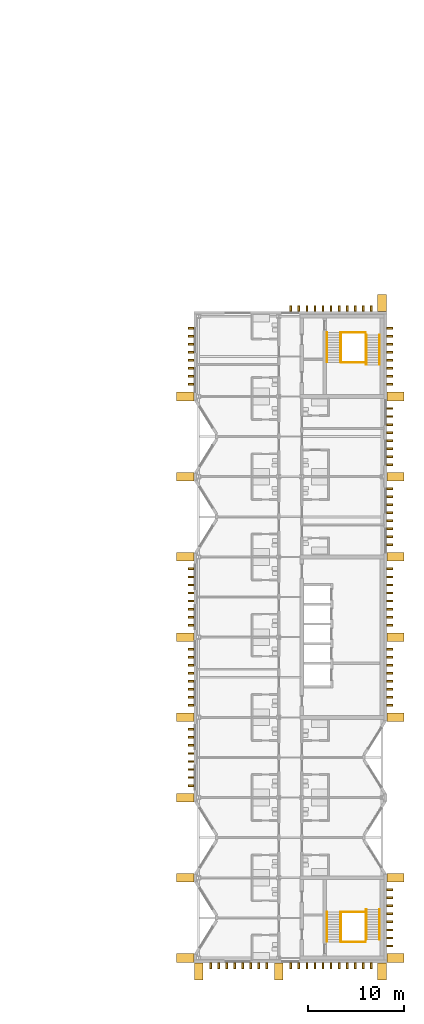
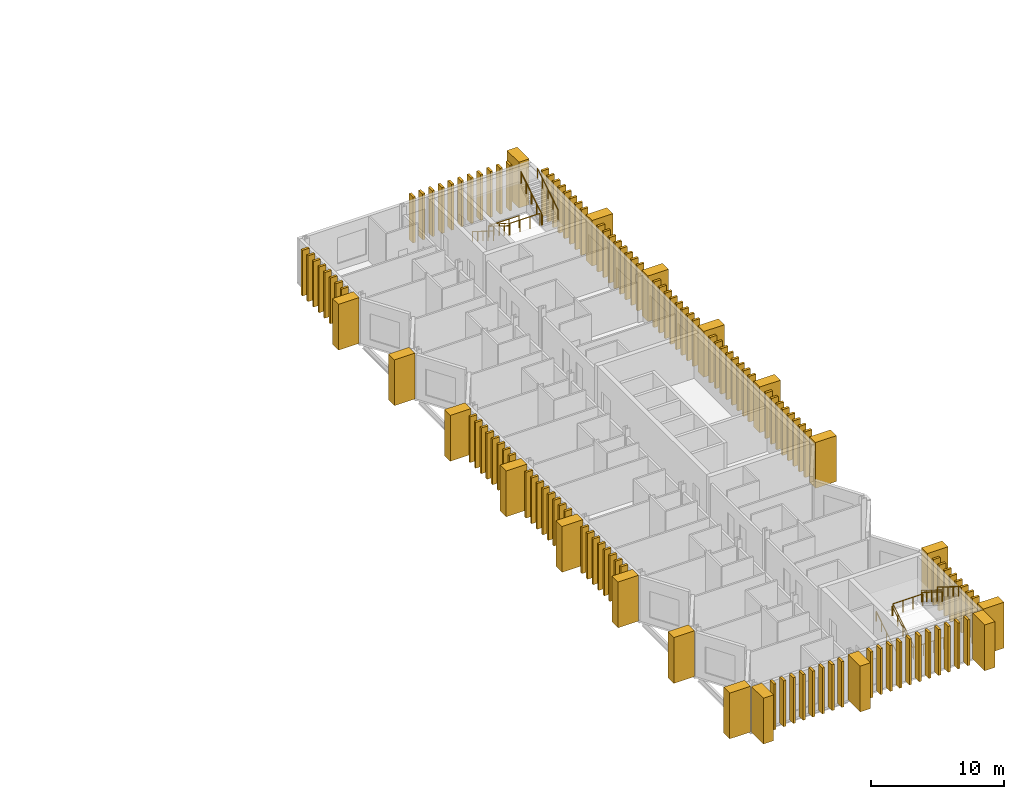
# One storey, part 19 of 20: 129 coverings, 16 railings.
"""IFC4 building model written with IfcOpenShell, lengths in metres."""

import ifcopenshell
import ifcopenshell.guid

model = None  # the IFC model being written
_history = None  # IfcOwnerHistory: only IFC2X3 demands one
_inside = {}  # id of a spatial element -> (the spatial element, [elements in it])
_under = {}  # id of a project, library or spatial element -> (it, [spatial elements below it])
_declared = {}  # id of a project -> (the project, [libraries it declares])
_typed = {}  # id of a type object -> (the type object, [elements of that type])
_made_of = {}  # id of a material, layer set ... -> (it, [elements and type objects made of it])


def new_model(schema):
    """Start an empty IFC model of exactly this schema.

    Asked for "IFC4X3", IfcOpenShell would pick the latest addendum, in which some entities
    have other attributes; the version numbers below select the first issue.
    IFC2X3 requires an IfcOwnerHistory on every rooted entity: one is made here for all.
    """
    global model, _history
    if schema == "IFC4X3":
        model = ifcopenshell.file(schema_version=(4, 3, 0, 0))
    else:
        model = ifcopenshell.file(schema=schema)
    _inside.clear()
    _under.clear()
    _declared.clear()
    _typed.clear()
    _made_of.clear()
    _history = None
    if model.schema == "IFC2X3":
        org = make("IfcOrganization", Name="unknown")
        user = make(
            "IfcPersonAndOrganization",
            ThePerson=make("IfcPerson", FamilyName="unknown"),
            TheOrganization=org,
        )
        app = make(
            "IfcApplication",
            ApplicationDeveloper=org,
            Version="unknown",
            ApplicationFullName="unknown",
            ApplicationIdentifier="unknown",
        )
        _history = make(
            "IfcOwnerHistory",
            OwningUser=user,
            OwningApplication=app,
            ChangeAction="ADDED",
            CreationDate=0,
        )
    return model


def make(cls, **values):
    """One entity of the class cls with the attributes given. An attribute that is None is left unset."""
    return model.create_entity(
        cls, **{name: value for name, value in values.items() if value is not None}
    )


def rooted(cls, **values):
    """An entity with a GlobalId (a new one), such as an element, a storey or a relation."""
    return make(cls, GlobalId=ifcopenshell.guid.new(), OwnerHistory=_history, **values)


def si_unit(unit_type, name, prefix=None):
    """IfcSIUnit, for example si_unit("LENGTHUNIT", "METRE", prefix="MILLI")."""
    return make("IfcSIUnit", UnitType=unit_type, Prefix=prefix, Name=name)


def assignment(units):
    """IfcUnitAssignment: the units of a project."""
    return None if units is None else make("IfcUnitAssignment", Units=units)


def point(xyz):
    """IfcCartesianPoint."""
    return None if xyz is None else make("IfcCartesianPoint", Coordinates=xyz)


def direction(xyz):
    """IfcDirection."""
    return None if xyz is None else make("IfcDirection", DirectionRatios=xyz)


def frame(location, z_axis=None, x_axis=None):
    """IfcAxis2Placement3D, a coordinate frame: its origin and axes. An axis left out is left unset."""
    return make(
        "IfcAxis2Placement3D",
        Location=point(location),
        Axis=direction(z_axis),
        RefDirection=direction(x_axis),
    )


def frame_2d(location, x_axis=None):
    """IfcAxis2Placement2D, a coordinate frame in the plane: its origin and x axis."""
    return make(
        "IfcAxis2Placement2D", Location=point(location), RefDirection=direction(x_axis)
    )


def origin():
    """The frame at (0, 0, 0) with its axes left unset."""
    return frame((0.0, 0.0, 0.0))


def origin_2d():
    """The frame at (0, 0) in the plane with its x axis left unset."""
    return frame_2d((0.0, 0.0))


def place(relative_to, where):
    """IfcLocalPlacement: puts the frame where relative to a parent placement (None: the world)."""
    return make(
        "IfcLocalPlacement", PlacementRelTo=relative_to, RelativePlacement=where
    )


def context(
    kind, dimensions, precision=None, world=None, true_north=None, identifier=None
):
    """IfcGeometricRepresentationContext, for example the 3D "Model" context."""
    return make(
        "IfcGeometricRepresentationContext",
        ContextIdentifier=identifier,
        ContextType=kind,
        CoordinateSpaceDimension=dimensions,
        Precision=precision,
        WorldCoordinateSystem=world,
        TrueNorth=true_north,
    )


def subcontext(parent, identifier, kind, view, scale=None):
    """IfcGeometricRepresentationSubContext, for example "Body" below "Model"."""
    return make(
        "IfcGeometricRepresentationSubContext",
        ContextIdentifier=identifier,
        ContextType=kind,
        ParentContext=parent,
        TargetScale=scale,
        TargetView=view,
    )


def project(units=None, contexts=None):
    """IfcProject with its units and contexts."""
    return rooted(
        "IfcProject",
        Name="project",
        RepresentationContexts=contexts,
        UnitsInContext=assignment(units),
    )


def spatial(cls, under=None, at=None, **own):
    """A site, building, storey or space (cls), placed at a placement, below another one or the project."""
    s = rooted(cls, ObjectPlacement=at, **own)
    if under is not None:
        _under.setdefault(under.id(), (under, []))[1].append(s)
    return s


def profile(cls, at=None, kind="AREA", **sizes):
    """A parametric profile (cls). Its sizes go by their IFC names, for example OverallWidth=200.0."""
    return make(cls, ProfileType=kind, Position=at, **sizes)


def rectangle(**sizes):
    """IfcRectangleProfileDef."""
    return profile("IfcRectangleProfileDef", **sizes)


def circle(**sizes):
    """IfcCircleProfileDef."""
    return profile("IfcCircleProfileDef", **sizes)


def extrude(swept, where, along, depth):
    """IfcExtrudedAreaSolid: the profile swept, set in the frame where, extruded along a direction by depth."""
    return make(
        "IfcExtrudedAreaSolid",
        SweptArea=swept,
        Position=where,
        ExtrudedDirection=direction(along),
        Depth=depth,
    )


def shape(context_of_items, identifier, shape_type, items):
    """IfcShapeRepresentation: the items that make up one representation, for example the "Body"."""
    return make(
        "IfcShapeRepresentation",
        ContextOfItems=context_of_items,
        RepresentationIdentifier=identifier,
        RepresentationType=shape_type,
        Items=items,
    )


def material(Name=None, Category=None):
    """IfcMaterial."""
    return make("IfcMaterial", Name=Name, Category=Category)


def made_of(thing, what):
    """Note that an element or type object is made of a material, layer set ...; save() writes the relation."""
    if what is not None:
        _made_of.setdefault(what.id(), (what, []))[1].append(thing)
    return thing


def type_object(cls, material=None, **own):
    """A type object (cls), such as IfcWallType, which elements share."""
    return made_of(rooted(cls, **own), material)


def element(
    cls,
    number,
    at=None,
    inside=None,
    cuts=None,
    type_object=None,
    material=None,
    context=None,
    identifier="Body",
    shape_type=None,
    held_by="IfcProductDefinitionShape",
    body=None,
    shapes=None,
    **own,
):
    """One element of the class cls, such as IfcWall. Its Tag is "e" and its number.

    at: its placement. inside: the storey or other place that contains it. cuts: it is an
    opening in that element (IfcRelVoidsElement). A single representation is given by context,
    identifier, shape_type and body (its items); several are given by shapes. held_by: the class
    of the entity that holds the representations. save() writes the other relations.
    """
    e = rooted(cls, Tag="e%d" % number, ObjectPlacement=at, **own)
    if body is not None:
        shapes = [shape(context, identifier, shape_type, body)]
    if shapes is not None:
        e.Representation = make(held_by, Representations=shapes)
    if inside is not None:
        _inside.setdefault(inside.id(), (inside, []))[1].append(e)
    if cuts is not None:
        rooted(
            "IfcRelVoidsElement", RelatingBuildingElement=cuts, RelatedOpeningElement=e
        )
    if type_object is not None:
        _typed.setdefault(type_object.id(), (type_object, []))[1].append(e)
    return made_of(e, material)


def aggregate(whole, parts):
    """IfcRelAggregates: a whole, such as a stair, and the parts it consists of."""
    return rooted("IfcRelAggregates", RelatingObject=whole, RelatedObjects=parts)


def save(model, path):
    """Write the relations noted so far, then the file.

    IfcRelAggregates (storeys below a building ...), IfcRelContainedInSpatialStructure (elements
    in a storey), IfcRelDefinesByType, IfcRelAssociatesMaterial and IfcRelDeclares: one each for
    every whole, place, type object, material and project.
    """
    for whole, parts in _under.values():
        aggregate(whole, parts)
    for where, things in _inside.values():
        rooted(
            "IfcRelContainedInSpatialStructure",
            RelatedElements=things,
            RelatingStructure=where,
        )
    for kind, things in _typed.values():
        rooted("IfcRelDefinesByType", RelatedObjects=things, RelatingType=kind)
    for what, things in _made_of.values():
        rooted("IfcRelAssociatesMaterial", RelatedObjects=things, RelatingMaterial=what)
    for by, libraries in _declared.values():
        rooted("IfcRelDeclares", RelatingContext=by, RelatedDefinitions=libraries)
    model.write(path)


model = new_model("IFC4")

# Units and contexts
model_context = context("Model", 3, precision=1e-05, world=origin(), true_north=direction((0.0, 1.0)))
body_context = subcontext(model_context, "Body", "Model", "MODEL_VIEW")
ifc_project = project(units=[si_unit("LENGTHUNIT", "METRE"), si_unit("AREAUNIT", "SQUARE_METRE"), si_unit("VOLUMEUNIT", "CUBIC_METRE"), si_unit("PLANEANGLEUNIT", "RADIAN"), si_unit("MASSUNIT", "GRAM", prefix="KILO")], contexts=[model_context])

# Site, building, storey
site_placement = place(None, origin())
site = spatial("IfcSite", under=ifc_project, at=site_placement, CompositionType="ELEMENT")
building_placement = place(site_placement, origin())
building = spatial("IfcBuilding", under=site, at=building_placement, Name="Cresset Court Congress Hotel", CompositionType="ELEMENT")
storey_placement = place(building_placement, frame((0.0, 0.0, 27.0)))
storey = spatial("IfcBuildingStorey", under=building, at=storey_placement, Name="L06", CompositionType="ELEMENT", Elevation=27.0)

# Coverings
ifc_material_1 = material(Name="Precast concrete C50", Category="concrete")
covering_type_1 = type_object("IfcCoveringType", Name="Precast stone fin 200x600", PredefinedType="CLADDING", material=ifc_material_1)
for number, where, z_axis, x_axis, name in (
    (1, (177.199951171875, 1.260009765625, 0.0), (0.0, 0.0, 1.0), (1.0, 0.0, 0.0), "Fin E002"),
    (2, (177.199951171875, 2.10009765625, 0.0), (0.0, 0.0, 1.0), (1.0, 0.0, 0.0), "Fin E003"),
    (3, (177.199951171875, 2.93994140625, 0.0), (0.0, 0.0, 1.0), (1.0, 0.0, 0.0), "Fin E004"),
    (4, (177.199951171875, 3.780029296875, 0.0), (0.0, 0.0, 1.0), (1.0, 0.0, 0.0), "Fin E005"),
    (5, (177.199951171875, 4.6201171875, 0.0), (0.0, 0.0, 1.0), (1.0, 0.0, 0.0), "Fin E006"),
    (6, (177.199951171875, 5.4599609375, 0.0), (0.0, 0.0, 1.0), (1.0, 0.0, 0.0), "Fin E007"),
    (7, (177.199951171875, 6.300048828125, 0.0), (0.0, 0.0, 1.0), (1.0, 0.0, 0.0), "Fin E008"),
    (8, (177.199951171875, 7.139892578125, 0.0), (0.0, 0.0, 1.0), (1.0, 0.0, 0.0), "Fin E009"),
    (9, (177.199951171875, 26.4599609375, 0.0), (0.0, 0.0, 1.0), (1.0, 0.0, 0.0), "Fin E032"),
    (10, (177.199951171875, 27.300048828125, 0.0), (0.0, 0.0, 1.0), (1.0, 0.0, 0.0), "Fin E033"),
    (11, (177.199951171875, 28.139892578125, 0.0), (0.0, 0.0, 1.0), (1.0, 0.0, 0.0), "Fin E034"),
    (12, (177.199951171875, 28.97998046875, 0.0), (0.0, 0.0, 1.0), (1.0, 0.0, 0.0), "Fin E035"),
    (13, (177.199951171875, 29.820068359375, 0.0), (0.0, 0.0, 1.0), (1.0, 0.0, 0.0), "Fin E036"),
    (14, (177.199951171875, 30.659912109375, 0.0), (0.0, 0.0, 1.0), (1.0, 0.0, 0.0), "Fin E037"),
    (15, (177.199951171875, 31.5, 0.0), (0.0, 0.0, 1.0), (1.0, 0.0, 0.0), "Fin E038"),
    (16, (177.199951171875, 32.340087890625, 0.0), (0.0, 0.0, 1.0), (1.0, 0.0, 0.0), "Fin E039"),
    (17, (177.199951171875, 34.860107421875, 0.0), (0.0, 0.0, 1.0), (1.0, 0.0, 0.0), "Fin E042"),
    (18, (177.199951171875, 35.699951171875, 0.0), (0.0, 0.0, 1.0), (1.0, 0.0, 0.0), "Fin E043"),
    (19, (177.199951171875, 36.5400390625, 0.0), (0.0, 0.0, 1.0), (1.0, 0.0, 0.0), "Fin E044"),
    (20, (177.199951171875, 37.3798828125, 0.0), (0.0, 0.0, 1.0), (1.0, 0.0, 0.0), "Fin E045"),
    (21, (177.199951171875, 38.219970703125, 0.0), (0.0, 0.0, 1.0), (1.0, 0.0, 0.0), "Fin E046"),
    (22, (177.199951171875, 39.06005859375, 0.0), (0.0, 0.0, 1.0), (1.0, 0.0, 0.0), "Fin E047"),
    (23, (177.199951171875, 39.89990234375, 0.0), (0.0, 0.0, 1.0), (1.0, 0.0, 0.0), "Fin E048"),
    (24, (177.199951171875, 40.739990234375, 0.0), (0.0, 0.0, 1.0), (1.0, 0.0, 0.0), "Fin E049"),
    (25, (177.199951171875, 43.260009765625, 0.0), (0.0, 0.0, 1.0), (1.0, 0.0, 0.0), "Fin E052"),
    (26, (177.199951171875, 44.10009765625, 0.0), (0.0, 0.0, 1.0), (1.0, 0.0, 0.0), "Fin E053"),
    (27, (177.199951171875, 44.93994140625, 0.0), (0.0, 0.0, 1.0), (1.0, 0.0, 0.0), "Fin E054"),
    (28, (177.199951171875, 45.780029296875, 0.0), (0.0, 0.0, 1.0), (1.0, 0.0, 0.0), "Fin E055"),
    (29, (177.199951171875, 46.6201171875, 0.0), (0.0, 0.0, 1.0), (1.0, 0.0, 0.0), "Fin E056"),
    (30, (177.199951171875, 47.4599609375, 0.0), (0.0, 0.0, 1.0), (1.0, 0.0, 0.0), "Fin E057"),
    (31, (177.199951171875, 48.300048828125, 0.0), (0.0, 0.0, 1.0), (1.0, 0.0, 0.0), "Fin E058"),
    (32, (177.199951171875, 49.139892578125, 0.0), (0.0, 0.0, 1.0), (1.0, 0.0, 0.0), "Fin E059"),
    (33, (177.199951171875, 51.659912109375, 0.0), (0.0, 0.0, 1.0), (1.0, 0.0, 0.0), "Fin E062"),
    (34, (177.199951171875, 52.5, 0.0), (0.0, 0.0, 1.0), (1.0, 0.0, 0.0), "Fin E063"),
    (35, (177.199951171875, 53.340087890625, 0.0), (0.0, 0.0, 1.0), (1.0, 0.0, 0.0), "Fin E064"),
    (36, (177.199951171875, 54.179931640625, 0.0), (0.0, 0.0, 1.0), (1.0, 0.0, 0.0), "Fin E065"),
    (37, (177.199951171875, 55.02001953125, 0.0), (0.0, 0.0, 1.0), (1.0, 0.0, 0.0), "Fin E066"),
    (38, (177.199951171875, 55.860107421875, 0.0), (0.0, 0.0, 1.0), (1.0, 0.0, 0.0), "Fin E067"),
    (39, (177.199951171875, 56.699951171875, 0.0), (0.0, 0.0, 1.0), (1.0, 0.0, 0.0), "Fin E068"),
    (40, (177.199951171875, 57.5400390625, 0.0), (0.0, 0.0, 1.0), (1.0, 0.0, 0.0), "Fin E069"),
    (41, (177.199951171875, 60.06005859375, 0.0), (0.0, 0.0, 1.0), (1.0, 0.0, 0.0), "Fin E072"),
    (42, (177.199951171875, 60.89990234375, 0.0), (0.0, 0.0, 1.0), (1.0, 0.0, 0.0), "Fin E073"),
    (43, (177.199951171875, 61.739990234375, 0.0), (0.0, 0.0, 1.0), (1.0, 0.0, 0.0), "Fin E074"),
    (44, (177.199951171875, 62.580078125, 0.0), (0.0, 0.0, 1.0), (1.0, 0.0, 0.0), "Fin E075"),
    (45, (177.199951171875, 63.419921875, 0.0), (0.0, 0.0, 1.0), (1.0, 0.0, 0.0), "Fin E076"),
    (46, (177.199951171875, 64.260009765625, 0.0), (0.0, 0.0, 1.0), (1.0, 0.0, 0.0), "Fin E077"),
    (47, (177.199951171875, 65.10009765625, 0.0), (0.0, 0.0, 1.0), (1.0, 0.0, 0.0), "Fin E078"),
    (48, (177.199951171875, 65.93994140625, 0.0), (0.0, 0.0, 1.0), (1.0, 0.0, 0.0), "Fin E079"),
    (49, (156.39990234375, 18.06005859375, 0.0), (0.0, 0.0, 1.0), (1.0, 0.0, 0.0), "Fin W022"),
    (50, (156.39990234375, 18.89990234375, 0.0), (0.0, 0.0, 1.0), (1.0, 0.0, 0.0), "Fin W023"),
    (51, (156.39990234375, 19.739990234375, 0.0), (0.0, 0.0, 1.0), (1.0, 0.0, 0.0), "Fin W024"),
    (52, (156.39990234375, 20.580078125, 0.0), (0.0, 0.0, 1.0), (1.0, 0.0, 0.0), "Fin W025"),
    (53, (156.39990234375, 21.419921875, 0.0), (0.0, 0.0, 1.0), (1.0, 0.0, 0.0), "Fin W026"),
    (54, (156.39990234375, 22.260009765625, 0.0), (0.0, 0.0, 1.0), (1.0, 0.0, 0.0), "Fin W027"),
    (55, (156.39990234375, 23.10009765625, 0.0), (0.0, 0.0, 1.0), (1.0, 0.0, 0.0), "Fin W028"),
    (56, (156.39990234375, 23.93994140625, 0.0), (0.0, 0.0, 1.0), (1.0, 0.0, 0.0), "Fin W029"),
    (57, (156.39990234375, 26.4599609375, 0.0), (0.0, 0.0, 1.0), (1.0, 0.0, 0.0), "Fin W032"),
    (58, (156.39990234375, 27.300048828125, 0.0), (0.0, 0.0, 1.0), (1.0, 0.0, 0.0), "Fin W033"),
    (59, (156.39990234375, 28.139892578125, 0.0), (0.0, 0.0, 1.0), (1.0, 0.0, 0.0), "Fin W034"),
    (60, (156.39990234375, 28.97998046875, 0.0), (0.0, 0.0, 1.0), (1.0, 0.0, 0.0), "Fin W035"),
    (61, (156.39990234375, 29.820068359375, 0.0), (0.0, 0.0, 1.0), (1.0, 0.0, 0.0), "Fin W036"),
    (62, (156.39990234375, 30.659912109375, 0.0), (0.0, 0.0, 1.0), (1.0, 0.0, 0.0), "Fin W037"),
    (63, (156.39990234375, 31.5, 0.0), (0.0, 0.0, 1.0), (1.0, 0.0, 0.0), "Fin W038"),
    (64, (156.39990234375, 32.340087890625, 0.0), (0.0, 0.0, 1.0), (1.0, 0.0, 0.0), "Fin W039"),
    (65, (156.39990234375, 34.860107421875, 0.0), (0.0, 0.0, 1.0), (1.0, 0.0, 0.0), "Fin W042"),
    (66, (156.39990234375, 35.699951171875, 0.0), (0.0, 0.0, 1.0), (1.0, 0.0, 0.0), "Fin W043"),
    (67, (156.39990234375, 36.5400390625, 0.0), (0.0, 0.0, 1.0), (1.0, 0.0, 0.0), "Fin W044"),
    (68, (156.39990234375, 37.3798828125, 0.0), (0.0, 0.0, 1.0), (1.0, 0.0, 0.0), "Fin W045"),
    (69, (156.39990234375, 38.219970703125, 0.0), (0.0, 0.0, 1.0), (1.0, 0.0, 0.0), "Fin W046"),
    (70, (156.39990234375, 39.06005859375, 0.0), (0.0, 0.0, 1.0), (1.0, 0.0, 0.0), "Fin W047"),
    (71, (156.39990234375, 39.89990234375, 0.0), (0.0, 0.0, 1.0), (1.0, 0.0, 0.0), "Fin W048"),
    (72, (156.39990234375, 40.739990234375, 0.0), (0.0, 0.0, 1.0), (1.0, 0.0, 0.0), "Fin W049"),
    (73, (156.39990234375, 60.06005859375, 0.0), (0.0, 0.0, 1.0), (1.0, 0.0, 0.0), "Fin W072"),
    (74, (156.39990234375, 60.89990234375, 0.0), (0.0, 0.0, 1.0), (1.0, 0.0, 0.0), "Fin W073"),
    (75, (156.39990234375, 61.739990234375, 0.0), (0.0, 0.0, 1.0), (1.0, 0.0, 0.0), "Fin W074"),
    (76, (156.39990234375, 62.580078125, 0.0), (0.0, 0.0, 1.0), (1.0, 0.0, 0.0), "Fin W075"),
    (77, (156.39990234375, 63.419921875, 0.0), (0.0, 0.0, 1.0), (1.0, 0.0, 0.0), "Fin W076"),
    (78, (156.39990234375, 64.260009765625, 0.0), (0.0, 0.0, 1.0), (1.0, 0.0, 0.0), "Fin W077"),
    (79, (156.39990234375, 65.10009765625, 0.0), (0.0, 0.0, 1.0), (1.0, 0.0, 0.0), "Fin W078"),
    (80, (156.39990234375, 65.93994140625, 0.0), (0.0, 0.0, 1.0), (1.0, 0.0, 0.0), "Fin W079"),
):
    element("IfcCovering", number, at=place(storey_placement, frame(where, z_axis=z_axis, x_axis=x_axis)), inside=storey, type_object=covering_type_1, Name=name, PredefinedType="CLADDING", context=body_context, shape_type="SweptSolid", body=[
        extrude(rectangle(XDim=0.60009765625, YDim=0.199951171875, at=origin_2d()), origin(), (0.0, 0.0, 1.0), 4.199951171875),
    ])
for number, where, z_axis, x_axis, name in (
    (81, (158.4599609375, -0.800048828125, 0.0), (0.0, 0.0, 1.0), (1.0, 0.0, 0.0), "Fin S002"),
    (82, (159.300048828125, -0.800048828125, 0.0), (0.0, 0.0, 1.0), (1.0, 0.0, 0.0), "Fin S003"),
    (83, (160.139892578125, -0.800048828125, 0.0), (0.0, 0.0, 1.0), (1.0, 0.0, 0.0), "Fin S004"),
    (84, (160.97998046875, -0.800048828125, 0.0), (0.0, 0.0, 1.0), (1.0, 0.0, 0.0), "Fin S005"),
    (85, (161.820068359375, -0.800048828125, 0.0), (0.0, 0.0, 1.0), (1.0, 0.0, 0.0), "Fin S006"),
    (86, (162.659912109375, -0.800048828125, 0.0), (0.0, 0.0, 1.0), (1.0, 0.0, 0.0), "Fin S007"),
    (87, (163.5, -0.800048828125, 0.0), (0.0, 0.0, 1.0), (1.0, 0.0, 0.0), "Fin S008"),
    (88, (164.340087890625, -0.800048828125, 0.0), (0.0, 0.0, 1.0), (1.0, 0.0, 0.0), "Fin S009"),
    (89, (166.860107421875, -0.800048828125, 0.0), (0.0, 0.0, 1.0), (1.0, 0.0, 0.0), "Fin S012"),
    (90, (167.699951171875, -0.800048828125, 0.0), (0.0, 0.0, 1.0), (1.0, 0.0, 0.0), "Fin S013"),
    (91, (168.5400390625, -0.800048828125, 0.0), (0.0, 0.0, 1.0), (1.0, 0.0, 0.0), "Fin S014"),
    (92, (169.3798828125, -0.800048828125, 0.0), (0.0, 0.0, 1.0), (1.0, 0.0, 0.0), "Fin S015"),
    (93, (170.219970703125, -0.800048828125, 0.0), (0.0, 0.0, 1.0), (1.0, 0.0, 0.0), "Fin S016"),
    (94, (171.06005859375, -0.800048828125, 0.0), (0.0, 0.0, 1.0), (1.0, 0.0, 0.0), "Fin S017"),
    (95, (171.89990234375, -0.800048828125, 0.0), (0.0, 0.0, 1.0), (1.0, 0.0, 0.0), "Fin S018"),
    (96, (172.739990234375, -0.800048828125, 0.0), (0.0, 0.0, 1.0), (1.0, 0.0, 0.0), "Fin S019"),
    (97, (173.580078125, -0.800048828125, 0.0), (0.0, 0.0, 1.0), (1.0, 0.0, 0.0), "Fin S020"),
    (98, (174.419921875, -0.800048828125, 0.0), (0.0, 0.0, 1.0), (1.0, 0.0, 0.0), "Fin S021"),
    (99, (175.260009765625, -0.800048828125, 0.0), (0.0, 0.0, 1.0), (1.0, 0.0, 0.0), "Fin S022"),
    (100, (166.860107421875, 68.0, 0.0), (0.0, 0.0, 1.0), (1.0, 0.0, 0.0), "Fin N012"),
    (101, (167.699951171875, 68.0, 0.0), (0.0, 0.0, 1.0), (1.0, 0.0, 0.0), "Fin N013"),
    (102, (168.5400390625, 68.0, 0.0), (0.0, 0.0, 1.0), (1.0, 0.0, 0.0), "Fin N014"),
    (103, (169.3798828125, 68.0, 0.0), (0.0, 0.0, 1.0), (1.0, 0.0, 0.0), "Fin N015"),
    (104, (170.219970703125, 68.0, 0.0), (0.0, 0.0, 1.0), (1.0, 0.0, 0.0), "Fin N016"),
    (105, (171.06005859375, 68.0, 0.0), (0.0, 0.0, 1.0), (1.0, 0.0, 0.0), "Fin N017"),
    (106, (171.89990234375, 68.0, 0.0), (0.0, 0.0, 1.0), (1.0, 0.0, 0.0), "Fin N018"),
    (107, (172.739990234375, 68.0, 0.0), (0.0, 0.0, 1.0), (1.0, 0.0, 0.0), "Fin N019"),
    (108, (173.580078125, 68.0, 0.0), (0.0, 0.0, 1.0), (1.0, 0.0, 0.0), "Fin N020"),
    (109, (174.419921875, 68.0, 0.0), (0.0, 0.0, 1.0), (1.0, 0.0, 0.0), "Fin N021"),
    (110, (175.260009765625, 68.0, 0.0), (0.0, 0.0, 1.0), (1.0, 0.0, 0.0), "Fin N022"),
):
    element("IfcCovering", number, at=place(storey_placement, frame(where, z_axis=z_axis, x_axis=x_axis)), inside=storey, type_object=covering_type_1, Name=name, PredefinedType="CLADDING", context=body_context, shape_type="SweptSolid", body=[
        extrude(rectangle(XDim=0.199951171875, YDim=0.60009765625, at=origin_2d()), origin(), (0.0, 0.0, 1.0), 4.199951171875),
    ])
ifc_material_2 = material(Name="Precast concrete C50", Category="concrete")
covering_type_2 = type_object("IfcCoveringType", Name="Precast stone pier 900x1800", PredefinedType="CLADDING", material=ifc_material_2)
for number, where, z_axis, x_axis, name in (
    (111, (177.800048828125, 0.0, 0.0), (0.0, 0.0, 1.0), (1.0, 0.0, 0.0), "Pier E01"),
    (112, (177.800048828125, 8.39990234375, 0.0), (0.0, 0.0, 1.0), (1.0, 0.0, 0.0), "Pier E02"),
    (113, (177.800048828125, 25.199951171875, 0.0), (0.0, 0.0, 1.0), (1.0, 0.0, 0.0), "Pier E03"),
    (114, (177.800048828125, 33.60009765625, 0.0), (0.0, 0.0, 1.0), (1.0, 0.0, 0.0), "Pier E04"),
    (115, (177.800048828125, 42.0, 0.0), (0.0, 0.0, 1.0), (1.0, 0.0, 0.0), "Pier E05"),
    (116, (177.800048828125, 50.39990234375, 0.0), (0.0, 0.0, 1.0), (1.0, 0.0, 0.0), "Pier E06"),
    (117, (177.800048828125, 58.800048828125, 0.0), (0.0, 0.0, 1.0), (1.0, 0.0, 0.0), "Pier E07"),
    (118, (155.800048828125, 0.0, 0.0), (0.0, 0.0, 1.0), (1.0, 0.0, 0.0), "Pier W01"),
    (119, (155.800048828125, 8.39990234375, 0.0), (0.0, 0.0, 1.0), (1.0, 0.0, 0.0), "Pier W02"),
    (120, (155.800048828125, 16.800048828125, 0.0), (0.0, 0.0, 1.0), (1.0, 0.0, 0.0), "Pier W03"),
    (121, (155.800048828125, 25.199951171875, 0.0), (0.0, 0.0, 1.0), (1.0, 0.0, 0.0), "Pier W04"),
    (122, (155.800048828125, 33.60009765625, 0.0), (0.0, 0.0, 1.0), (1.0, 0.0, 0.0), "Pier W05"),
    (123, (155.800048828125, 42.0, 0.0), (0.0, 0.0, 1.0), (1.0, 0.0, 0.0), "Pier W06"),
    (124, (155.800048828125, 50.39990234375, 0.0), (0.0, 0.0, 1.0), (1.0, 0.0, 0.0), "Pier W07"),
    (125, (155.800048828125, 58.800048828125, 0.0), (0.0, 0.0, 1.0), (1.0, 0.0, 0.0), "Pier W08"),
):
    element("IfcCovering", number, at=place(storey_placement, frame(where, z_axis=z_axis, x_axis=x_axis)), inside=storey, type_object=covering_type_2, Name=name, PredefinedType="CLADDING", context=body_context, shape_type="SweptSolid", body=[
        extrude(rectangle(XDim=1.800048828125, YDim=0.89990234375, at=origin_2d()), origin(), (0.0, 0.0, 1.0), 4.199951171875),
    ])
for number, where, z_axis, x_axis, name in (
    (126, (157.199951171875, -1.39990234375, 0.0), (0.0, 0.0, 1.0), (1.0, 0.0, 0.0), "Pier S01"),
    (127, (165.60009765625, -1.39990234375, 0.0), (0.0, 0.0, 1.0), (1.0, 0.0, 0.0), "Pier S02"),
    (128, (176.39990234375, -1.39990234375, 0.0), (0.0, 0.0, 1.0), (1.0, 0.0, 0.0), "Pier S03"),
    (129, (176.39990234375, 68.60009765625, 0.0), (0.0, 0.0, 1.0), (1.0, 0.0, 0.0), "Pier N03"),
):
    element("IfcCovering", number, at=place(storey_placement, frame(where, z_axis=z_axis, x_axis=x_axis)), inside=storey, type_object=covering_type_2, Name=name, PredefinedType="CLADDING", context=body_context, shape_type="SweptSolid", body=[
        extrude(rectangle(XDim=0.89990234375, YDim=1.800048828125, at=origin_2d()), origin(), (0.0, 0.0, 1.0), 4.199951171875),
    ])

# Railings
ifc_material_3 = material(Name="Stainless steel", Category="steel")
railing_type_1 = type_object("IfcRailingType", Name="Stair guard 1100", PredefinedType="GUARDRAIL", material=ifc_material_3)
railing_1_placement = place(storey_placement, frame((172.10009765625, 1.699951171875, 0.16162109375)))
element("IfcRailing", 130, at=railing_1_placement, inside=storey, type_object=railing_type_1, Name="Guard A1 L06", PredefinedType="GUARDRAIL", context=body_context, shape_type="SweptSolid", body=[
    extrude(circle(Radius=0.02392578125, at=origin_2d()), frame((0.0, 0.0, 1.076171875), z_axis=(0.0, 0.849414166554, 0.527726798313), x_axis=(-1.0, 0.0, 0.0)), (0.0, 0.0, 1.0), 3.67333984375),
    extrude(circle(Radius=0.02099609375, at=origin_2d()), origin(), (0.0, 0.0, 1.0), 1.052001953125),
    extrude(circle(Radius=0.02099609375, at=origin_2d()), frame((0.0, 0.780029296875, 0.484619140625)), (0.0, 0.0, 1.0), 1.052001953125),
    extrude(circle(Radius=0.02099609375, at=origin_2d()), frame((0.0, 1.56005859375, 0.96923828125)), (0.0, 0.0, 1.0), 1.052001953125),
    extrude(circle(Radius=0.02099609375, at=origin_2d()), frame((0.0, 2.340087890625, 1.453857421875)), (0.0, 0.0, 1.0), 1.052001953125),
    extrude(circle(Radius=0.02099609375, at=origin_2d()), frame((0.0, 3.1201171875, 1.9384765625)), (0.0, 0.0, 1.0), 1.052001953125),
])
railing_2_placement = place(storey_placement, frame((174.699951171875, 5.080078125, 2.261474609375)))
element("IfcRailing", 131, at=railing_2_placement, inside=storey, type_object=railing_type_1, Name="Guard A1 L06", PredefinedType="GUARDRAIL", context=body_context, shape_type="SweptSolid", body=[
    extrude(circle(Radius=0.02392578125, at=origin_2d()), frame((0.0, 0.0, 1.076171875), z_axis=(0.0, -0.849414166554, 0.527726798313), x_axis=(1.0, 0.0, 0.0)), (0.0, 0.0, 1.0), 3.67333984375),
    extrude(circle(Radius=0.02099609375, at=origin_2d()), origin(), (0.0, 0.0, 1.0), 1.052001953125),
    extrude(circle(Radius=0.02099609375, at=origin_2d()), frame((0.0, -0.780029296875, 0.484619140625)), (0.0, 0.0, 1.0), 1.052001953125),
    extrude(circle(Radius=0.02099609375, at=origin_2d()), frame((0.0, -1.56005859375, 0.96923828125)), (0.0, 0.0, 1.0), 1.052001953125),
    extrude(circle(Radius=0.02099609375, at=origin_2d()), frame((0.0, -2.340087890625, 1.453857421875)), (0.0, 0.0, 1.0), 1.052001953125),
    extrude(circle(Radius=0.02099609375, at=origin_2d()), frame((0.0, -3.1201171875, 1.9384765625)), (0.0, 0.0, 1.0), 1.052001953125),
])
for number, where, name in (
    (132, (172.10009765625, 1.699951171875, 0.0), "Guard A1 L06"),
    (133, (172.10009765625, 4.820068359375, 2.10009765625), "Guard A1 L06"),
):
    element("IfcRailing", number, at=place(storey_placement, frame(where)), inside=storey, type_object=railing_type_1, Name=name, PredefinedType="GUARDRAIL", context=body_context, shape_type="SweptSolid", body=[
        extrude(circle(Radius=0.02392578125, at=origin_2d()), frame((0.0, 0.0, 1.076171875), z_axis=(1.0, 0.0, 0.0), x_axis=(0.0, 1.0, 0.0)), (0.0, 0.0, 1.0), 2.599853515625),
        extrude(circle(Radius=0.02099609375, at=origin_2d()), origin(), (0.0, 0.0, 1.0), 1.052001953125),
        extrude(circle(Radius=0.02099609375, at=origin_2d()), frame((0.86669921875, 0.0, 0.0)), (0.0, 0.0, 1.0), 1.052001953125),
        extrude(circle(Radius=0.02099609375, at=origin_2d()), frame((1.733154296875, 0.0, 0.0)), (0.0, 0.0, 1.0), 1.052001953125),
        extrude(circle(Radius=0.02099609375, at=origin_2d()), frame((2.599853515625, 0.0, 0.0)), (0.0, 0.0, 1.0), 1.052001953125),
    ])
railing_3_placement = place(storey_placement, frame((172.10009765625, 65.5, 0.16162109375)))
element("IfcRailing", 134, at=railing_3_placement, inside=storey, type_object=railing_type_1, Name="Guard A2 L06", PredefinedType="GUARDRAIL", context=body_context, shape_type="SweptSolid", body=[
    extrude(circle(Radius=0.02392578125, at=origin_2d()), frame((0.0, 0.0, 1.076171875), z_axis=(0.0, -0.849414166554, 0.527726798313), x_axis=(1.0, 0.0, 0.0)), (0.0, 0.0, 1.0), 3.67333984375),
    extrude(circle(Radius=0.02099609375, at=origin_2d()), origin(), (0.0, 0.0, 1.0), 1.052001953125),
    extrude(circle(Radius=0.02099609375, at=origin_2d()), frame((0.0, -0.780029296875, 0.484619140625)), (0.0, 0.0, 1.0), 1.052001953125),
    extrude(circle(Radius=0.02099609375, at=origin_2d()), frame((0.0, -1.56005859375, 0.96923828125)), (0.0, 0.0, 1.0), 1.052001953125),
    extrude(circle(Radius=0.02099609375, at=origin_2d()), frame((0.0, -2.340087890625, 1.453857421875)), (0.0, 0.0, 1.0), 1.052001953125),
    extrude(circle(Radius=0.02099609375, at=origin_2d()), frame((0.0, -3.1201171875, 1.9384765625)), (0.0, 0.0, 1.0), 1.052001953125),
])
railing_4_placement = place(storey_placement, frame((174.699951171875, 62.1201171875, 2.261474609375)))
element("IfcRailing", 135, at=railing_4_placement, inside=storey, type_object=railing_type_1, Name="Guard A2 L06", PredefinedType="GUARDRAIL", context=body_context, shape_type="SweptSolid", body=[
    extrude(circle(Radius=0.02392578125, at=origin_2d()), frame((0.0, 0.0, 1.076171875), z_axis=(0.0, 0.849395654964, 0.52775659288), x_axis=(-1.0, 0.0, 0.0)), (0.0, 0.0, 1.0), 3.673095703125),
    extrude(circle(Radius=0.02099609375, at=origin_2d()), origin(), (0.0, 0.0, 1.0), 1.052001953125),
    extrude(circle(Radius=0.02099609375, at=origin_2d()), frame((0.0, 0.780029296875, 0.484619140625)), (0.0, 0.0, 1.0), 1.052001953125),
    extrude(circle(Radius=0.02099609375, at=origin_2d()), frame((0.0, 1.56005859375, 0.96923828125)), (0.0, 0.0, 1.0), 1.052001953125),
    extrude(circle(Radius=0.02099609375, at=origin_2d()), frame((0.0, 2.33984375, 1.453857421875)), (0.0, 0.0, 1.0), 1.052001953125),
    extrude(circle(Radius=0.02099609375, at=origin_2d()), frame((0.0, 3.119873046875, 1.9384765625)), (0.0, 0.0, 1.0), 1.052001953125),
])
for number, where, name in (
    (136, (172.10009765625, 65.5, 0.0), "Guard A2 L06"),
    (137, (172.10009765625, 62.3798828125, 2.10009765625), "Guard A2 L06"),
):
    element("IfcRailing", number, at=place(storey_placement, frame(where)), inside=storey, type_object=railing_type_1, Name=name, PredefinedType="GUARDRAIL", context=body_context, shape_type="SweptSolid", body=[
        extrude(circle(Radius=0.02392578125, at=origin_2d()), frame((0.0, 0.0, 1.076171875), z_axis=(1.0, 0.0, 0.0), x_axis=(0.0, 1.0, 0.0)), (0.0, 0.0, 1.0), 2.599853515625),
        extrude(circle(Radius=0.02099609375, at=origin_2d()), origin(), (0.0, 0.0, 1.0), 1.052001953125),
        extrude(circle(Radius=0.02099609375, at=origin_2d()), frame((0.86669921875, 0.0, 0.0)), (0.0, 0.0, 1.0), 1.052001953125),
        extrude(circle(Radius=0.02099609375, at=origin_2d()), frame((1.733154296875, 0.0, 0.0)), (0.0, 0.0, 1.0), 1.052001953125),
        extrude(circle(Radius=0.02099609375, at=origin_2d()), frame((2.599853515625, 0.0, 0.0)), (0.0, 0.0, 1.0), 1.052001953125),
    ])
ifc_material_4 = material(Name="Stainless steel", Category="steel")
railing_type_2 = type_object("IfcRailingType", Name="Stair handrail 900", PredefinedType="HANDRAIL", material=ifc_material_4)
for number, where, name in (
    (138, (170.659912109375, 1.699951171875, 0.16162109375), "Handrail A1 L06"),
    (139, (172.0400390625, 1.699951171875, 0.16162109375), "Handrail A1 L06"),
):
    element("IfcRailing", number, at=place(storey_placement, frame(where)), inside=storey, type_object=railing_type_2, Name=name, PredefinedType="HANDRAIL", context=body_context, shape_type="SweptSolid", body=[
        extrude(circle(Radius=0.02392578125, at=origin_2d()), frame((0.0, 0.0, 0.8759765625), z_axis=(0.0, 0.849414166554, 0.527726798313), x_axis=(-1.0, 0.0, 0.0)), (0.0, 0.0, 1.0), 3.67333984375),
        extrude(circle(Radius=0.02099609375, at=origin_2d()), origin(), (0.0, 0.0, 1.0), 0.851806640625),
        extrude(circle(Radius=0.02099609375, at=origin_2d()), frame((0.0, 0.780029296875, 0.484619140625)), (0.0, 0.0, 1.0), 0.851806640625),
        extrude(circle(Radius=0.02099609375, at=origin_2d()), frame((0.0, 1.56005859375, 0.96923828125)), (0.0, 0.0, 1.0), 0.851806640625),
        extrude(circle(Radius=0.02099609375, at=origin_2d()), frame((0.0, 2.340087890625, 1.453857421875)), (0.0, 0.0, 1.0), 0.851806640625),
        extrude(circle(Radius=0.02099609375, at=origin_2d()), frame((0.0, 3.1201171875, 1.9384765625)), (0.0, 0.0, 1.0), 0.851806640625),
    ])
for number, where, name in (
    (140, (174.760009765625, 5.080078125, 2.261474609375), "Handrail A1 L06"),
    (141, (176.139892578125, 5.080078125, 2.261474609375), "Handrail A1 L06"),
    (142, (170.659912109375, 65.5, 0.16162109375), "Handrail A2 L06"),
    (143, (172.0400390625, 65.5, 0.16162109375), "Handrail A2 L06"),
):
    element("IfcRailing", number, at=place(storey_placement, frame(where)), inside=storey, type_object=railing_type_2, Name=name, PredefinedType="HANDRAIL", context=body_context, shape_type="SweptSolid", body=[
        extrude(circle(Radius=0.02392578125, at=origin_2d()), frame((0.0, 0.0, 0.8759765625), z_axis=(0.0, -0.849414166554, 0.527726798313), x_axis=(1.0, 0.0, 0.0)), (0.0, 0.0, 1.0), 3.67333984375),
        extrude(circle(Radius=0.02099609375, at=origin_2d()), origin(), (0.0, 0.0, 1.0), 0.851806640625),
        extrude(circle(Radius=0.02099609375, at=origin_2d()), frame((0.0, -0.780029296875, 0.484619140625)), (0.0, 0.0, 1.0), 0.851806640625),
        extrude(circle(Radius=0.02099609375, at=origin_2d()), frame((0.0, -1.56005859375, 0.96923828125)), (0.0, 0.0, 1.0), 0.851806640625),
        extrude(circle(Radius=0.02099609375, at=origin_2d()), frame((0.0, -2.340087890625, 1.453857421875)), (0.0, 0.0, 1.0), 0.851806640625),
        extrude(circle(Radius=0.02099609375, at=origin_2d()), frame((0.0, -3.1201171875, 1.9384765625)), (0.0, 0.0, 1.0), 0.851806640625),
    ])
for number, where, name in (
    (144, (174.760009765625, 62.1201171875, 2.261474609375), "Handrail A2 L06"),
    (145, (176.139892578125, 62.1201171875, 2.261474609375), "Handrail A2 L06"),
):
    element("IfcRailing", number, at=place(storey_placement, frame(where)), inside=storey, type_object=railing_type_2, Name=name, PredefinedType="HANDRAIL", context=body_context, shape_type="SweptSolid", body=[
        extrude(circle(Radius=0.02392578125, at=origin_2d()), frame((0.0, 0.0, 0.8759765625), z_axis=(0.0, 0.849395654964, 0.52775659288), x_axis=(-1.0, 0.0, 0.0)), (0.0, 0.0, 1.0), 3.673095703125),
        extrude(circle(Radius=0.02099609375, at=origin_2d()), origin(), (0.0, 0.0, 1.0), 0.851806640625),
        extrude(circle(Radius=0.02099609375, at=origin_2d()), frame((0.0, 0.780029296875, 0.484619140625)), (0.0, 0.0, 1.0), 0.851806640625),
        extrude(circle(Radius=0.02099609375, at=origin_2d()), frame((0.0, 1.56005859375, 0.96923828125)), (0.0, 0.0, 1.0), 0.851806640625),
        extrude(circle(Radius=0.02099609375, at=origin_2d()), frame((0.0, 2.33984375, 1.453857421875)), (0.0, 0.0, 1.0), 0.851806640625),
        extrude(circle(Radius=0.02099609375, at=origin_2d()), frame((0.0, 3.119873046875, 1.9384765625)), (0.0, 0.0, 1.0), 0.851806640625),
    ])

save(model, "model.ifc")
